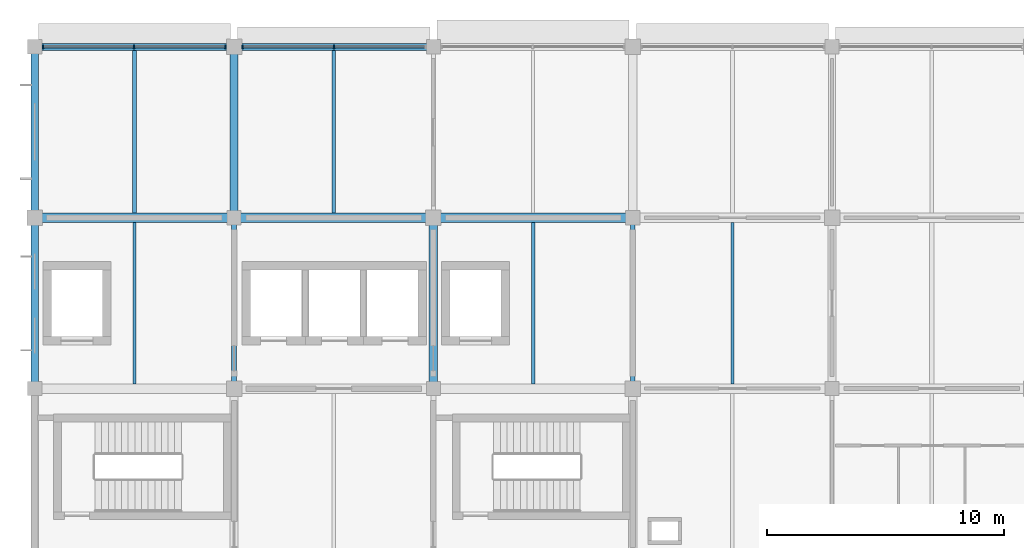
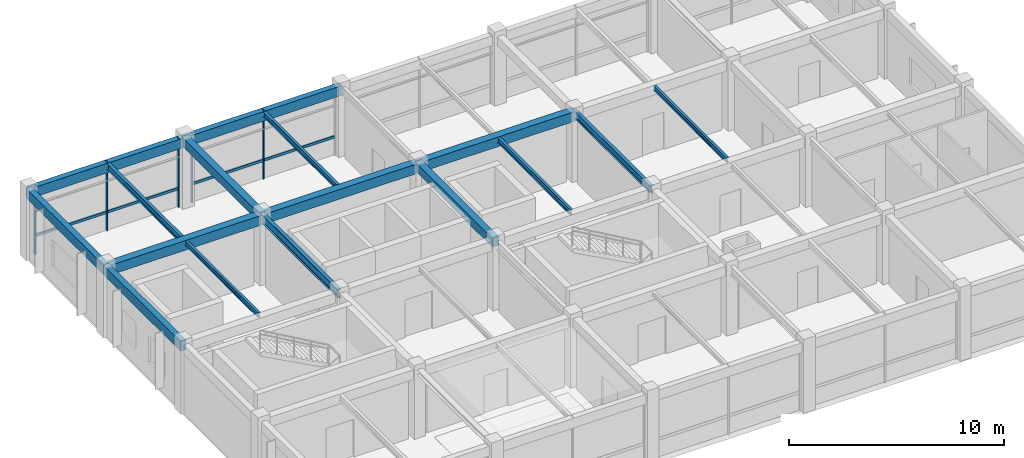
# One storey, part 4 of 11: 16 beams, 9 members, 2 elements without a shape of their own.
"""IFC4 building model written with IfcOpenShell, lengths in metres."""

from ifc_helpers import new_model, si_unit, derived_unit, direction, frame, origin, origin_2d, place, context, subcontext, project, spatial, rectangle, i_section, extrude, material, material_profile, profile_set, type_object, element, aggregate, save


model = new_model("IFC4")

# Units and contexts
model_context = context("Model", 3, precision=1e-05, world=origin(), true_north=direction((0.0, 1.0)))
body_context = subcontext(model_context, "Body", "Model", "MODEL_VIEW")
ifc_project = project(units=[si_unit("LENGTHUNIT", "METRE"), si_unit("AREAUNIT", "SQUARE_METRE"), si_unit("VOLUMEUNIT", "CUBIC_METRE"), si_unit("PLANEANGLEUNIT", "RADIAN"), si_unit("MASSUNIT", "GRAM", prefix="KILO"), derived_unit("THERMALTRANSMITTANCEUNIT", [(si_unit("MASSUNIT", "GRAM", prefix="KILO"), 1), (si_unit("TIMEUNIT", "SECOND"), -3), (si_unit("THERMODYNAMICTEMPERATUREUNIT", "KELVIN"), -1)])], contexts=[model_context])

# Site, building, storey
site_placement = place(None, origin())
site = spatial("IfcSite", under=ifc_project, at=site_placement, CompositionType="ELEMENT")
building_placement = place(site_placement, origin())
building = spatial("IfcBuilding", under=site, at=building_placement, Name="Veldstrom Oceanarium and Marine Research Institute", CompositionType="ELEMENT")
storey_placement = place(building_placement, frame((0.0, 0.0, 48.0)))
storey = spatial("IfcBuildingStorey", under=building, at=storey_placement, Name="L10", CompositionType="ELEMENT", Elevation=48.0)

# Curtain wall, members
ifc_material_1 = material(Name="Anodised Aluminium Framing", Category="aluminium")
curtain_wall_type = type_object("IfcCurtainWallType", Name="ARC-CW-CW04", PredefinedType="USERDEFINED", material=ifc_material_1)
curtain_wall_1_placement = place(storey_placement, origin())
curtain_wall_1 = element("IfcCurtainWall", 1, at=curtain_wall_1_placement, inside=storey, type_object=curtain_wall_type, Name="Curtain Wall CW04 CW-L10-142", ObjectType="Curtain wall", PredefinedType="USERDEFINED")
ifc_material_2 = material(Name="Anodised Aluminium Framing", Category="aluminium")
ifc_material_profile_1 = material_profile(ifc_material_2, rectangle(XDim=0.06494140625, YDim=0.14990234375, at=origin_2d()), Name="ALU-MUL-65x150")
ifc_profile_set_1 = profile_set([ifc_material_profile_1], Name="Anodised Aluminium Framing")
member_type_1 = type_object("IfcMemberType", Name="ARC-MUL-ML2", PredefinedType="MULLION", material=ifc_profile_set_1)
member_1_placement = place(storey_placement, frame((75.93994140625, 72.0, 0.0), z_axis=(0.0, 0.0, 1.0), x_axis=(1.0, 0.0, 0.0)))
member_1 = element("IfcMember", 2, at=member_1_placement, type_object=member_type_1, Name="Curtain Wall Mullion CW-L10-142-MUL-1", PredefinedType="MULLION", context=body_context, shape_type="SweptSolid", body=[
    extrude(rectangle(XDim=0.06494140625, YDim=0.14990234375, at=origin_2d()), origin(), (0.0, 0.0, 1.0), 3.919921875),
])
member_2_placement = place(storey_placement, frame((79.78759765625, 72.0, 0.0), z_axis=(0.0, 0.0, 1.0), x_axis=(1.0, 0.0, 0.0)))
member_2 = element("IfcMember", 3, at=member_2_placement, type_object=member_type_1, Name="Curtain Wall Mullion CW-L10-142-MUL-2", PredefinedType="MULLION", context=body_context, shape_type="SweptSolid", body=[
    extrude(rectangle(XDim=0.06494140625, YDim=0.14990234375, at=origin_2d()), origin(), (0.0, 0.0, 1.0), 3.919921875),
])
member_3_placement = place(storey_placement, frame((83.635009765625, 72.0, 0.0), z_axis=(0.0, 0.0, 1.0), x_axis=(1.0, 0.0, 0.0)))
member_3 = element("IfcMember", 4, at=member_3_placement, type_object=member_type_1, Name="Curtain Wall Mullion CW-L10-142-MUL-3", PredefinedType="MULLION", context=body_context, shape_type="SweptSolid", body=[
    extrude(rectangle(XDim=0.06494140625, YDim=0.14990234375, at=origin_2d()), origin(), (0.0, 0.0, 1.0), 3.919921875),
])

curtain_wall_2_placement = place(storey_placement, origin())
curtain_wall_2 = element("IfcCurtainWall", 5, at=curtain_wall_2_placement, inside=storey, type_object=curtain_wall_type, Name="Curtain Wall CW04 CW-L10-144", ObjectType="Curtain wall", PredefinedType="USERDEFINED")
member_4_placement = place(storey_placement, frame((84.364990234375, 72.0, 0.0), z_axis=(0.0, 0.0, 1.0), x_axis=(1.0, 0.0, 0.0)))
member_4 = element("IfcMember", 6, at=member_4_placement, type_object=member_type_1, Name="Curtain Wall Mullion CW-L10-144-MUL-1", PredefinedType="MULLION", context=body_context, shape_type="SweptSolid", body=[
    extrude(rectangle(XDim=0.06494140625, YDim=0.14990234375, at=origin_2d()), origin(), (0.0, 0.0, 1.0), 3.919921875),
])
member_5_placement = place(storey_placement, frame((88.21240234375, 72.0, 0.0), z_axis=(0.0, 0.0, 1.0), x_axis=(1.0, 0.0, 0.0)))
member_5 = element("IfcMember", 7, at=member_5_placement, type_object=member_type_1, Name="Curtain Wall Mullion CW-L10-144-MUL-2", PredefinedType="MULLION", context=body_context, shape_type="SweptSolid", body=[
    extrude(rectangle(XDim=0.06494140625, YDim=0.14990234375, at=origin_2d()), origin(), (0.0, 0.0, 1.0), 3.919921875),
])

# Member
ifc_material_3 = material(Name="Anodised Aluminium Framing", Category="aluminium")
ifc_material_profile_2 = material_profile(ifc_material_3, rectangle(XDim=0.074951171875, YDim=0.14990234375, at=origin_2d()), Name="ALU-TRN-75x150")
ifc_profile_set_2 = profile_set([ifc_material_profile_2], Name="Anodised Aluminium Framing")
member_type_2 = type_object("IfcMemberType", Name="ARC-TRN-TR1", PredefinedType="USERDEFINED", material=ifc_profile_set_2)
member_6_placement = place(storey_placement, frame((75.97998046875, 72.0, 1.050048828125), z_axis=(1.0, 0.0, 0.0), x_axis=(0.0, 1.0, 0.0)))
member_6 = element("IfcMember", 8, at=member_6_placement, type_object=member_type_2, Name="Curtain Wall Transom CW-L10-142-TRN-1", ObjectType="Transom", PredefinedType="USERDEFINED", context=body_context, shape_type="SweptSolid", body=[
    extrude(rectangle(XDim=0.074951171875, YDim=0.14990234375, at=origin_2d()), origin(), (0.0, 0.0, 1.0), 3.767578125),
])

member_7_placement = place(storey_placement, frame((79.827392578125, 72.0, 1.050048828125), z_axis=(1.0, 0.0, 0.0), x_axis=(0.0, 1.0, 0.0)))
member_7 = element("IfcMember", 9, at=member_7_placement, type_object=member_type_2, Name="Curtain Wall Transom CW-L10-142-TRN-2", ObjectType="Transom", PredefinedType="USERDEFINED", context=body_context, shape_type="SweptSolid", body=[
    extrude(rectangle(XDim=0.074951171875, YDim=0.14990234375, at=origin_2d()), origin(), (0.0, 0.0, 1.0), 3.767578125),
])

aggregate(curtain_wall_1, [member_1, member_2, member_3, member_6, member_7])

member_8_placement = place(storey_placement, frame((84.405029296875, 72.0, 1.050048828125), z_axis=(1.0, 0.0, 0.0), x_axis=(0.0, 1.0, 0.0)))
member_8 = element("IfcMember", 10, at=member_8_placement, type_object=member_type_2, Name="Curtain Wall Transom CW-L10-144-TRN-1", ObjectType="Transom", PredefinedType="USERDEFINED", context=body_context, shape_type="SweptSolid", body=[
    extrude(rectangle(XDim=0.074951171875, YDim=0.14990234375, at=origin_2d()), origin(), (0.0, 0.0, 1.0), 3.767578125),
])

member_9_placement = place(storey_placement, frame((88.25244140625, 72.0, 1.050048828125), z_axis=(1.0, 0.0, 0.0), x_axis=(0.0, 1.0, 0.0)))
member_9 = element("IfcMember", 11, at=member_9_placement, type_object=member_type_2, Name="Curtain Wall Transom CW-L10-144-TRN-2", ObjectType="Transom", PredefinedType="USERDEFINED", context=body_context, shape_type="SweptSolid", body=[
    extrude(rectangle(XDim=0.074951171875, YDim=0.14990234375, at=origin_2d()), origin(), (0.0, 0.0, 1.0), 3.767578125),
])

aggregate(curtain_wall_2, [member_4, member_5, member_8, member_9])

# Beams
ifc_material_4 = material(Name="Concrete C40/50", Category="concrete")
ifc_material_profile_3 = material_profile(ifc_material_4, rectangle(XDim=0.39990234375, YDim=0.550048828125, at=origin_2d()), Name="RC-BM-400x550")
ifc_profile_set_3 = profile_set([ifc_material_profile_3], Name="Concrete C40/50")
beam_type_1 = type_object("IfcBeamType", Name="STR-BM-B07", PredefinedType="BEAM", material=ifc_profile_set_3)
for number, where, z_axis, x_axis, name in (
    (12, (75.60009765625, 64.800048828125, 3.639892578125), (1.0, 0.0, 0.0), (0.0, 1.0, 0.0), "Primary Beam B07 L10-2542"),
    (13, (84.0, 64.800048828125, 3.639892578125), (1.0, 0.0, 0.0), (0.0, 1.0, 0.0), "Primary Beam B07 L10-2547"),
):
    element("IfcBeam", number, at=place(storey_placement, frame(where, z_axis=z_axis, x_axis=x_axis)), inside=storey, type_object=beam_type_1, Name=name, PredefinedType="BEAM", context=body_context, shape_type="SweptSolid", body=[
        extrude(rectangle(XDim=0.39990234375, YDim=0.550048828125, at=origin_2d()), origin(), (0.0, 0.0, 1.0), 8.39990234375),
    ])
beam_1_placement = place(storey_placement, frame((92.39990234375, 64.800048828125, 3.639892578125), z_axis=(1.0, 0.0, 0.0), x_axis=(0.0, 1.0, 0.0)))
element("IfcBeam", 14, at=beam_1_placement, inside=storey, type_object=beam_type_1, Name="Primary Beam B07 L10-2552", PredefinedType="BEAM", context=body_context, shape_type="SweptSolid", body=[
    extrude(rectangle(XDim=0.39990234375, YDim=0.550048828125, at=origin_2d()), origin(), (0.0, 0.0, 1.0), 8.400146484375),
])
ifc_material_5 = material(Name="Concrete C40/50", Category="concrete")
ifc_material_profile_4 = material_profile(ifc_material_5, rectangle(XDim=0.35009765625, YDim=0.5, at=origin_2d()), Name="RC-BM-350x500")
ifc_profile_set_4 = profile_set([ifc_material_profile_4], Name="Concrete C40/50")
beam_type_2 = type_object("IfcBeamType", Name="STR-BM-B08", PredefinedType="BEAM", material=ifc_profile_set_4)
for number, where, z_axis, x_axis, name in (
    (15, (84.0, 64.800048828125, 3.6650390625), (0.0, 1.0, 0.0), (-1.0, 0.0, 0.0), "Primary Beam B08 L10-2571"),
    (16, (92.39990234375, 57.60009765625, 3.6650390625), (0.0, 1.0, 0.0), (-1.0, 0.0, 0.0), "Primary Beam B08 L10-2574"),
):
    element("IfcBeam", number, at=place(storey_placement, frame(where, z_axis=z_axis, x_axis=x_axis)), inside=storey, type_object=beam_type_2, Name=name, PredefinedType="BEAM", context=body_context, shape_type="SweptSolid", body=[
        extrude(rectangle(XDim=0.35009765625, YDim=0.5, at=origin_2d()), origin(), (0.0, 0.0, 1.0), 7.199951171875),
    ])
ifc_material_6 = material(Name="Steel S355JR", Category="steel")
ifc_material_profile_5 = material_profile(ifc_material_6, i_section(OverallWidth=0.199951171875, OverallDepth=0.5, WebThickness=0.01025390625, FlangeThickness=0.01611328125, FilletRadius=0.02099609375, at=origin_2d()), Name="IPE 500")
ifc_profile_set_5 = profile_set([ifc_material_profile_5], Name="Steel S355JR")
beam_type_3 = type_object("IfcBeamType", Name="STR-BM-SB6", PredefinedType="BEAM", material=ifc_profile_set_5)
beam_2_placement = place(storey_placement, frame((84.0, 57.60009765625, 3.6650390625), z_axis=(0.0, 1.0, 0.0), x_axis=(-1.0, 0.0, 0.0)))
element("IfcBeam", 17, at=beam_2_placement, inside=storey, type_object=beam_type_3, Name="Steel Tie Beam SB6 L10-2570", PredefinedType="BEAM", context=body_context, shape_type="SweptSolid", body=[
    extrude(i_section(OverallWidth=0.199951171875, OverallDepth=0.5, WebThickness=0.01025390625, FlangeThickness=0.01611328125, FilletRadius=0.02099609375, at=origin_2d()), origin(), (0.0, 0.0, 1.0), 7.199951171875),
])
ifc_material_7 = material(Name="Steel S355JR", Category="steel")
ifc_material_profile_6 = material_profile(ifc_material_7, i_section(OverallWidth=0.179931640625, OverallDepth=0.39990234375, WebThickness=0.008544921875, FlangeThickness=0.013427734375, FilletRadius=0.02099609375, at=origin_2d()), Name="IPE 400")
ifc_profile_set_6 = profile_set([ifc_material_profile_6], Name="Steel S355JR")
beam_type_4 = type_object("IfcBeamType", Name="STR-BM-SB8", PredefinedType="BEAM", material=ifc_profile_set_6)
beam_3_placement = place(storey_placement, frame((100.800048828125, 57.60009765625, 3.715087890625), z_axis=(0.0, 1.0, 0.0), x_axis=(-1.0, 0.0, 0.0)))
element("IfcBeam", 18, at=beam_3_placement, inside=storey, type_object=beam_type_4, Name="Steel Tie Beam SB8 L10-2578", PredefinedType="BEAM", context=body_context, shape_type="SweptSolid", body=[
    extrude(i_section(OverallWidth=0.179931640625, OverallDepth=0.39990234375, WebThickness=0.008544921875, FlangeThickness=0.013427734375, FilletRadius=0.02099609375, at=origin_2d()), origin(), (0.0, 0.0, 1.0), 7.199951171875),
])
ifc_material_8 = material(Name="Steel S355JR", Category="steel")
ifc_material_profile_7 = material_profile(ifc_material_8, i_section(OverallWidth=0.169921875, OverallDepth=0.360107421875, WebThickness=0.008056640625, FlangeThickness=0.0126953125, FilletRadius=0.01806640625, at=origin_2d()), Name="IPE 360")
ifc_profile_set_7 = profile_set([ifc_material_profile_7], Name="Steel S355JR")
beam_type_5 = type_object("IfcBeamType", Name="STR-JST-SJ1", PredefinedType="JOIST", material=ifc_profile_set_7)
beam_4_placement = place(storey_placement, frame((79.800048828125, 65.0, 3.735107421875), z_axis=(0.0, 1.0, 0.0), x_axis=(-1.0, 0.0, 0.0)))
element("IfcBeam", 19, at=beam_4_placement, inside=storey, type_object=beam_type_5, Name="Secondary Joist SJ1 L10-2590", PredefinedType="JOIST", context=body_context, shape_type="SweptSolid", body=[
    extrude(i_section(OverallWidth=0.169921875, OverallDepth=0.360107421875, WebThickness=0.008056640625, FlangeThickness=0.0126953125, FilletRadius=0.01806640625, at=origin_2d()), origin(), (0.0, 0.0, 1.0), 6.85009765625),
])
ifc_material_9 = material(Name="Steel S355JR", Category="steel")
ifc_material_profile_8 = material_profile(ifc_material_9, i_section(OverallWidth=0.14990234375, OverallDepth=0.300048828125, WebThickness=0.007080078125, FlangeThickness=0.0107421875, FilletRadius=0.014892578125, at=origin_2d()), Name="IPE 300")
ifc_profile_set_8 = profile_set([ifc_material_profile_8], Name="Steel S355JR")
beam_type_6 = type_object("IfcBeamType", Name="STR-JST-SJ2", PredefinedType="JOIST", material=ifc_profile_set_8)
beam_5_placement = place(storey_placement, frame((88.199951171875, 65.0, 3.764892578125), z_axis=(0.0, 1.0, 0.0), x_axis=(-1.0, 0.0, 0.0)))
element("IfcBeam", 20, at=beam_5_placement, inside=storey, type_object=beam_type_6, Name="Secondary Joist SJ2 L10-2593", PredefinedType="JOIST", context=body_context, shape_type="SweptSolid", body=[
    extrude(i_section(OverallWidth=0.14990234375, OverallDepth=0.300048828125, WebThickness=0.007080078125, FlangeThickness=0.0107421875, FilletRadius=0.014892578125, at=origin_2d()), origin(), (0.0, 0.0, 1.0), 6.85009765625),
])
beam_6_placement = place(storey_placement, frame((96.60009765625, 57.800048828125, 3.764892578125), z_axis=(0.0, 1.0, 0.0), x_axis=(-1.0, 0.0, 0.0)))
element("IfcBeam", 21, at=beam_6_placement, inside=storey, type_object=beam_type_6, Name="Secondary Joist SJ2 L10-2595", PredefinedType="JOIST", context=body_context, shape_type="SweptSolid", body=[
    extrude(i_section(OverallWidth=0.14990234375, OverallDepth=0.300048828125, WebThickness=0.007080078125, FlangeThickness=0.0107421875, FilletRadius=0.014892578125, at=origin_2d()), origin(), (0.0, 0.0, 1.0), 6.800048828125),
])
ifc_material_10 = material(Name="Steel S355JR", Category="steel")
ifc_material_profile_9 = material_profile(ifc_material_10, i_section(OverallWidth=0.135009765625, OverallDepth=0.27001953125, WebThickness=0.006591796875, FlangeThickness=0.01025390625, FilletRadius=0.014892578125, at=origin_2d()), Name="IPE 270")
ifc_profile_set_9 = profile_set([ifc_material_profile_9], Name="Steel S355JR")
beam_type_7 = type_object("IfcBeamType", Name="STR-JST-SJ3", PredefinedType="JOIST", material=ifc_profile_set_9)
for number, where, z_axis, x_axis, name in (
    (22, (79.800048828125, 57.800048828125, 3.780029296875), (0.0, 1.0, 0.0), (-1.0, 0.0, 0.0), "Secondary Joist SJ3 L10-2589"),
    (23, (105.0, 57.800048828125, 3.780029296875), (0.0, 1.0, 0.0), (-1.0, 0.0, 0.0), "Secondary Joist SJ3 L10-2599"),
):
    element("IfcBeam", number, at=place(storey_placement, frame(where, z_axis=z_axis, x_axis=x_axis)), inside=storey, type_object=beam_type_7, Name=name, PredefinedType="JOIST", context=body_context, shape_type="SweptSolid", body=[
        extrude(i_section(OverallWidth=0.135009765625, OverallDepth=0.27001953125, WebThickness=0.006591796875, FlangeThickness=0.01025390625, FilletRadius=0.014892578125, at=origin_2d()), origin(), (0.0, 0.0, 1.0), 6.800048828125),
    ])
ifc_material_11 = material(Name="Concrete C40/50", Category="concrete")
ifc_material_profile_10 = material_profile(ifc_material_11, rectangle(XDim=0.300048828125, YDim=0.550048828125, at=origin_2d()), Name="RC-SPN-300x550")
ifc_profile_set_10 = profile_set([ifc_material_profile_10], Name="Concrete C40/50")
beam_type_8 = type_object("IfcBeamType", Name="STR-SPN-SP2", PredefinedType="SPANDREL", material=ifc_profile_set_10)
for number, where, z_axis, x_axis, name in (
    (24, (75.60009765625, 72.0, 3.639892578125), (1.0, 0.0, 0.0), (0.0, 1.0, 0.0), "Perimeter Spandrel SPB2 L10-2543"),
    (25, (84.0, 72.0, 3.639892578125), (1.0, 0.0, 0.0), (0.0, 1.0, 0.0), "Perimeter Spandrel SPB2 L10-2548"),
):
    element("IfcBeam", number, at=place(storey_placement, frame(where, z_axis=z_axis, x_axis=x_axis)), inside=storey, type_object=beam_type_8, Name=name, PredefinedType="SPANDREL", context=body_context, shape_type="SweptSolid", body=[
        extrude(rectangle(XDim=0.300048828125, YDim=0.550048828125, at=origin_2d()), origin(), (0.0, 0.0, 1.0), 8.39990234375),
    ])
for number, where, z_axis, x_axis, name in (
    (26, (75.60009765625, 57.60009765625, 3.639892578125), (0.0, 1.0, 0.0), (-1.0, 0.0, 0.0), "Perimeter Spandrel SPB2 L10-2566"),
    (27, (75.60009765625, 64.800048828125, 3.639892578125), (0.0, 1.0, 0.0), (-1.0, 0.0, 0.0), "Perimeter Spandrel SPB2 L10-2567"),
):
    element("IfcBeam", number, at=place(storey_placement, frame(where, z_axis=z_axis, x_axis=x_axis)), inside=storey, type_object=beam_type_8, Name=name, PredefinedType="SPANDREL", context=body_context, shape_type="SweptSolid", body=[
        extrude(rectangle(XDim=0.300048828125, YDim=0.550048828125, at=origin_2d()), origin(), (0.0, 0.0, 1.0), 7.199951171875),
    ])

save(model, "model.ifc")
